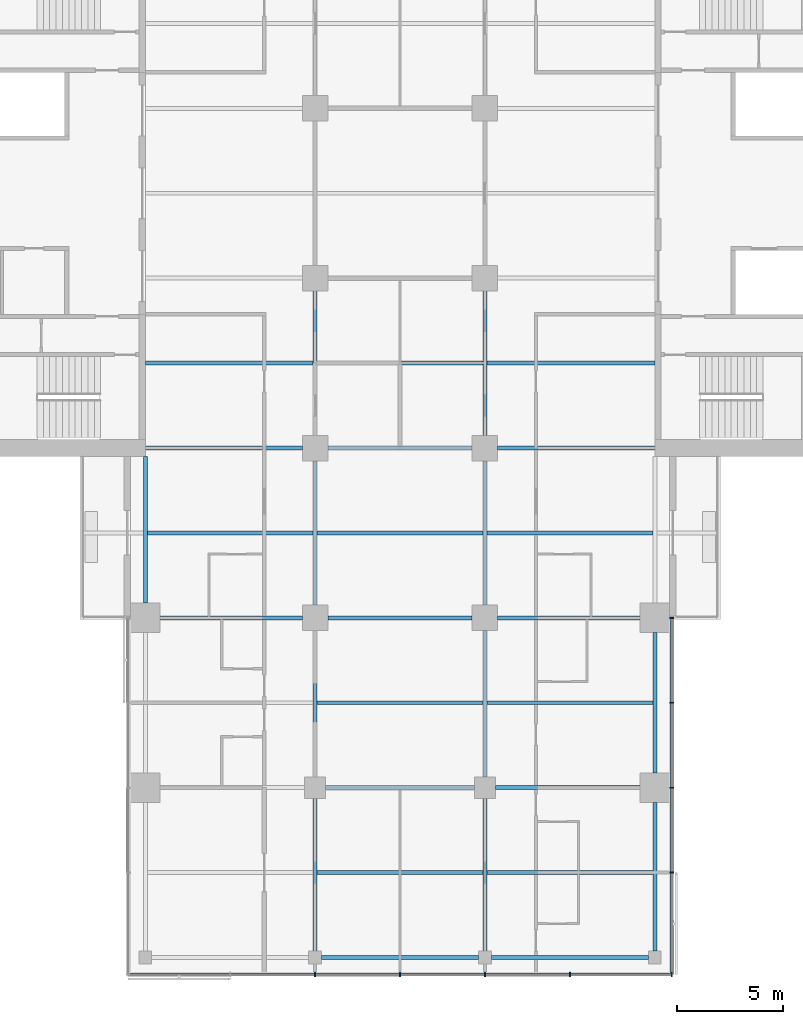
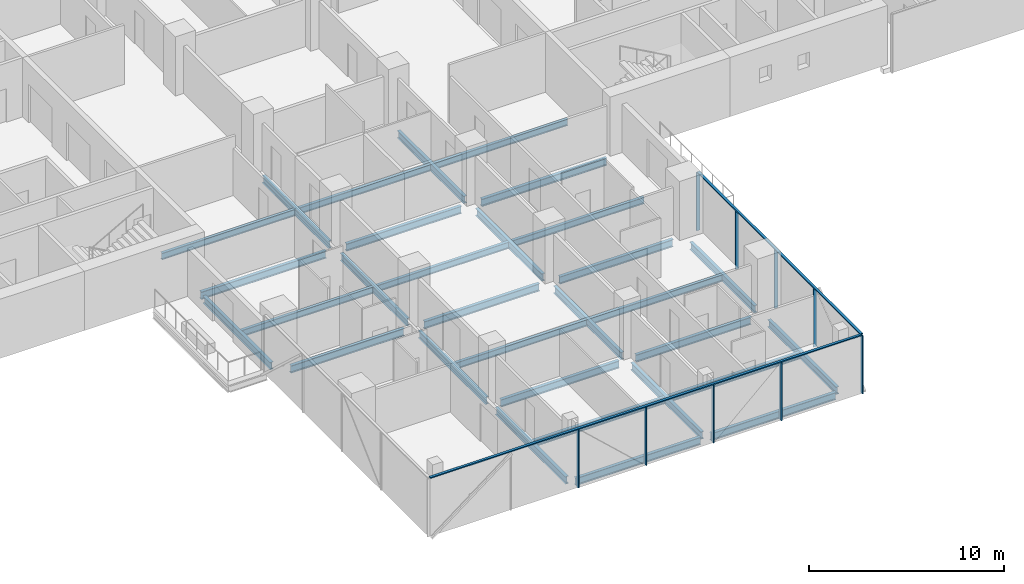
# One storey, part 4 of 27: 31 beams, 11 members, 2 elements without a shape of their own.
"""IFC4 building model written with IfcOpenShell, lengths in metres."""

from ifc_helpers import new_model, si_unit, direction, frame, origin, origin_2d, place, context, subcontext, project, spatial, rectangle, i_section, extrude, material, material_profile, profile_set, type_object, element, aggregate, save


model = new_model("IFC4")

# Units and contexts
model_context = context("Model", 3, precision=1e-05, world=origin(), true_north=direction((0.0, 1.0)))
body_context = subcontext(model_context, "Body", "Model", "MODEL_VIEW")
ifc_project = project(units=[si_unit("LENGTHUNIT", "METRE"), si_unit("AREAUNIT", "SQUARE_METRE"), si_unit("VOLUMEUNIT", "CUBIC_METRE"), si_unit("PLANEANGLEUNIT", "RADIAN"), si_unit("MASSUNIT", "GRAM", prefix="KILO")], contexts=[model_context])

# Site, building, storey
site_placement = place(None, origin())
site = spatial("IfcSite", under=ifc_project, at=site_placement, CompositionType="ELEMENT")
building_placement = place(site_placement, origin())
building = spatial("IfcBuilding", under=site, at=building_placement, Name="Crosswind Convention Tower", CompositionType="ELEMENT")
storey_placement = place(building_placement, frame((0.0, 0.0, 68.300048828125)))
storey = spatial("IfcBuildingStorey", under=building, at=storey_placement, Name="L11", CompositionType="ELEMENT", Elevation=68.300048828125)

# Beams
ifc_material_1 = material(Name="Steel S355", Category="steel")
ifc_material_profile_1 = material_profile(ifc_material_1, i_section(OverallWidth=0.1904296875, OverallDepth=0.457275390625, WebThickness=0.009033203125, FlangeThickness=0.014404296875, FilletRadius=0.01025390625, at=origin_2d()), Name="UB 457x191x75")
ifc_profile_set_1 = profile_set([ifc_material_profile_1], Name="Steel S355")
beam_type_1 = type_object("IfcBeamType", Name="Edge beam UB 457x191x75", PredefinedType="SPANDREL", material=ifc_profile_set_1)
beam_1_placement = place(storey_placement, frame((113.0, 80.699951171875, -0.508544921875), z_axis=(0.0, 1.0, 0.0), x_axis=(-1.0, 0.0, 0.0)))
element("IfcBeam", 1, at=beam_1_placement, inside=storey, type_object=beam_type_1, Name="B17 L11 edge beam 8", PredefinedType="SPANDREL", context=body_context, shape_type="SweptSolid", body=[
    extrude(i_section(OverallWidth=0.1904296875, OverallDepth=0.457275390625, WebThickness=0.009033203125, FlangeThickness=0.014404296875, FilletRadius=0.01025390625, at=origin_2d()), origin(), (0.0, 0.0, 1.0), 6.900146484375),
])
for number, where, z_axis, x_axis, name in (
    (2, (121.300048828125, 64.0, -0.508544921875), (1.0, 0.0, 0.0), (0.0, 1.0, 0.0), "B17 L11 edge beam 14"),
    (3, (129.300048828125, 64.0, -0.508544921875), (1.0, 0.0, 0.0), (0.0, 1.0, 0.0), "B17 L11 edge beam 16"),
):
    element("IfcBeam", number, at=place(storey_placement, frame(where, z_axis=z_axis, x_axis=x_axis)), inside=storey, type_object=beam_type_1, Name=name, PredefinedType="SPANDREL", context=body_context, shape_type="SweptSolid", body=[
        extrude(i_section(OverallWidth=0.1904296875, OverallDepth=0.457275390625, WebThickness=0.009033203125, FlangeThickness=0.014404296875, FilletRadius=0.01025390625, at=origin_2d()), origin(), (0.0, 0.0, 1.0), 7.39990234375),
    ])
beam_2_placement = place(storey_placement, frame((137.0, 64.300048828125, -0.508544921875), z_axis=(0.0, 1.0, 0.0), x_axis=(-1.0, 0.0, 0.0)))
element("IfcBeam", 4, at=beam_2_placement, inside=storey, type_object=beam_type_1, Name="B17 L11 edge beam 18", PredefinedType="SPANDREL", context=body_context, shape_type="SweptSolid", body=[
    extrude(i_section(OverallWidth=0.1904296875, OverallDepth=0.457275390625, WebThickness=0.009033203125, FlangeThickness=0.014404296875, FilletRadius=0.01025390625, at=origin_2d()), origin(), (0.0, 0.0, 1.0), 7.0),
])
beam_3_placement = place(storey_placement, frame((137.0, 72.699951171875, -0.508544921875), z_axis=(0.0, 1.0, 0.0), x_axis=(-1.0, 0.0, 0.0)))
element("IfcBeam", 5, at=beam_3_placement, inside=storey, type_object=beam_type_1, Name="B17 L11 edge beam 19", PredefinedType="SPANDREL", context=body_context, shape_type="SweptSolid", body=[
    extrude(i_section(OverallWidth=0.1904296875, OverallDepth=0.457275390625, WebThickness=0.009033203125, FlangeThickness=0.014404296875, FilletRadius=0.01025390625, at=origin_2d()), origin(), (0.0, 0.0, 1.0), 6.60009765625),
])
ifc_material_profile_2 = material_profile(ifc_material_1, i_section(OverallWidth=0.19140625, OverallDepth=0.460205078125, WebThickness=0.010009765625, FlangeThickness=0.01611328125, FilletRadius=0.01025390625, at=origin_2d()), Name="UB 457x191x82")
ifc_profile_set_2 = profile_set([ifc_material_profile_2], Name="Steel S355")
beam_type_2 = type_object("IfcBeamType", Name="Girder UB 457x191x82", PredefinedType="BEAM", material=ifc_profile_set_2)
beam_4_placement = place(storey_placement, frame((113.699951171875, 80.0, -0.51025390625), z_axis=(1.0, 0.0, 0.0), x_axis=(0.0, 1.0, 0.0)))
element("IfcBeam", 6, at=beam_4_placement, inside=storey, type_object=beam_type_2, Name="B3 L11 girder 2", PredefinedType="BEAM", context=body_context, shape_type="SweptSolid", body=[
    extrude(i_section(OverallWidth=0.19140625, OverallDepth=0.460205078125, WebThickness=0.010009765625, FlangeThickness=0.01611328125, FilletRadius=0.01025390625, at=origin_2d()), origin(), (0.0, 0.0, 1.0), 6.699951171875),
])
beam_5_placement = place(storey_placement, frame((121.0, 64.300048828125, -0.51025390625), z_axis=(0.0, 1.0, 0.0), x_axis=(-1.0, 0.0, 0.0)))
element("IfcBeam", 7, at=beam_5_placement, inside=storey, type_object=beam_type_2, Name="B3 L11 girder 5", PredefinedType="BEAM", context=body_context, shape_type="SweptSolid", body=[
    extrude(i_section(OverallWidth=0.19140625, OverallDepth=0.460205078125, WebThickness=0.010009765625, FlangeThickness=0.01611328125, FilletRadius=0.01025390625, at=origin_2d()), origin(), (0.0, 0.0, 1.0), 7.199951171875),
])
beam_6_placement = place(storey_placement, frame((121.0, 72.5, -0.51025390625), z_axis=(0.0, 1.0, 0.0), x_axis=(-1.0, 0.0, 0.0)))
element("IfcBeam", 8, at=beam_6_placement, inside=storey, type_object=beam_type_2, Name="B3 L11 girder 6", PredefinedType="BEAM", context=body_context, shape_type="SweptSolid", body=[
    extrude(i_section(OverallWidth=0.19140625, OverallDepth=0.460205078125, WebThickness=0.010009765625, FlangeThickness=0.01611328125, FilletRadius=0.01025390625, at=origin_2d()), origin(), (0.0, 0.0, 1.0), 6.89990234375),
])
for number, where, z_axis, x_axis, name in (
    (9, (121.0, 80.60009765625, -0.51025390625), (0.0, 1.0, 0.0), (-1.0, 0.0, 0.0), "B3 L11 girder 7"),
    (10, (121.0, 88.60009765625, -0.51025390625), (0.0, 1.0, 0.0), (-1.0, 0.0, 0.0), "B3 L11 girder 8"),
):
    element("IfcBeam", number, at=place(storey_placement, frame(where, z_axis=z_axis, x_axis=x_axis)), inside=storey, type_object=beam_type_2, Name=name, PredefinedType="BEAM", context=body_context, shape_type="SweptSolid", body=[
        extrude(i_section(OverallWidth=0.19140625, OverallDepth=0.460205078125, WebThickness=0.010009765625, FlangeThickness=0.01611328125, FilletRadius=0.01025390625, at=origin_2d()), origin(), (0.0, 0.0, 1.0), 6.7998046875),
    ])
beam_7_placement = place(storey_placement, frame((121.5, 72.0, -0.51025390625), z_axis=(1.0, 0.0, 0.0), x_axis=(0.0, 1.0, 0.0)))
element("IfcBeam", 11, at=beam_7_placement, inside=storey, type_object=beam_type_2, Name="B3 L11 girder 14", PredefinedType="BEAM", context=body_context, shape_type="SweptSolid", body=[
    extrude(i_section(OverallWidth=0.19140625, OverallDepth=0.460205078125, WebThickness=0.010009765625, FlangeThickness=0.01611328125, FilletRadius=0.01025390625, at=origin_2d()), origin(), (0.0, 0.0, 1.0), 7.0),
])
for number, where, z_axis, x_axis, name in (
    (12, (121.60009765625, 80.0, -0.51025390625), (1.0, 0.0, 0.0), (0.0, 1.0, 0.0), "B3 L11 girder 16"),
    (13, (121.60009765625, 88.0, -0.51025390625), (1.0, 0.0, 0.0), (0.0, 1.0, 0.0), "B3 L11 girder 17"),
):
    element("IfcBeam", number, at=place(storey_placement, frame(where, z_axis=z_axis, x_axis=x_axis)), inside=storey, type_object=beam_type_2, Name=name, PredefinedType="BEAM", context=body_context, shape_type="SweptSolid", body=[
        extrude(i_section(OverallWidth=0.19140625, OverallDepth=0.460205078125, WebThickness=0.010009765625, FlangeThickness=0.01611328125, FilletRadius=0.01025390625, at=origin_2d()), origin(), (0.0, 0.0, 1.0), 6.7998046875),
    ])
beam_8_placement = place(storey_placement, frame((129.0, 64.300048828125, -0.51025390625), z_axis=(0.0, 1.0, 0.0), x_axis=(-1.0, 0.0, 0.0)))
element("IfcBeam", 14, at=beam_8_placement, inside=storey, type_object=beam_type_2, Name="B3 L11 girder 22", PredefinedType="BEAM", context=body_context, shape_type="SweptSolid", body=[
    extrude(i_section(OverallWidth=0.19140625, OverallDepth=0.460205078125, WebThickness=0.010009765625, FlangeThickness=0.01611328125, FilletRadius=0.01025390625, at=origin_2d()), origin(), (0.0, 0.0, 1.0), 7.199951171875),
])
beam_9_placement = place(storey_placement, frame((129.0, 72.5, -0.51025390625), z_axis=(0.0, 1.0, 0.0), x_axis=(-1.0, 0.0, 0.0)))
element("IfcBeam", 15, at=beam_9_placement, inside=storey, type_object=beam_type_2, Name="B3 L11 girder 23", PredefinedType="BEAM", context=body_context, shape_type="SweptSolid", body=[
    extrude(i_section(OverallWidth=0.19140625, OverallDepth=0.460205078125, WebThickness=0.010009765625, FlangeThickness=0.01611328125, FilletRadius=0.01025390625, at=origin_2d()), origin(), (0.0, 0.0, 1.0), 6.89990234375),
])
for number, where, z_axis, x_axis, name in (
    (16, (129.0, 80.60009765625, -0.51025390625), (0.0, 1.0, 0.0), (-1.0, 0.0, 0.0), "B3 L11 girder 24"),
    (17, (129.0, 88.60009765625, -0.51025390625), (0.0, 1.0, 0.0), (-1.0, 0.0, 0.0), "B3 L11 girder 25"),
):
    element("IfcBeam", number, at=place(storey_placement, frame(where, z_axis=z_axis, x_axis=x_axis)), inside=storey, type_object=beam_type_2, Name=name, PredefinedType="BEAM", context=body_context, shape_type="SweptSolid", body=[
        extrude(i_section(OverallWidth=0.19140625, OverallDepth=0.460205078125, WebThickness=0.010009765625, FlangeThickness=0.01611328125, FilletRadius=0.01025390625, at=origin_2d()), origin(), (0.0, 0.0, 1.0), 6.7998046875),
    ])
beam_10_placement = place(storey_placement, frame((129.5, 72.0, -0.51025390625), z_axis=(1.0, 0.0, 0.0), x_axis=(0.0, 1.0, 0.0)))
element("IfcBeam", 18, at=beam_10_placement, inside=storey, type_object=beam_type_2, Name="B3 L11 girder 31", PredefinedType="BEAM", context=body_context, shape_type="SweptSolid", body=[
    extrude(i_section(OverallWidth=0.19140625, OverallDepth=0.460205078125, WebThickness=0.010009765625, FlangeThickness=0.01611328125, FilletRadius=0.01025390625, at=origin_2d()), origin(), (0.0, 0.0, 1.0), 6.800048828125),
])
beam_11_placement = place(storey_placement, frame((129.60009765625, 80.0, -0.51025390625), z_axis=(1.0, 0.0, 0.0), x_axis=(0.0, 1.0, 0.0)))
element("IfcBeam", 19, at=beam_11_placement, inside=storey, type_object=beam_type_2, Name="B3 L11 girder 33", PredefinedType="BEAM", context=body_context, shape_type="SweptSolid", body=[
    extrude(i_section(OverallWidth=0.19140625, OverallDepth=0.460205078125, WebThickness=0.010009765625, FlangeThickness=0.01611328125, FilletRadius=0.01025390625, at=origin_2d()), origin(), (0.0, 0.0, 1.0), 6.699951171875),
])
ifc_material_profile_3 = material_profile(ifc_material_1, i_section(OverallWidth=0.19189453125, OverallDepth=0.463623046875, WebThickness=0.010498046875, FlangeThickness=0.017578125, FilletRadius=0.01025390625, at=origin_2d()), Name="UB 457x191x90")
ifc_profile_set_3 = profile_set([ifc_material_profile_3], Name="Steel S355")
beam_type_3 = type_object("IfcBeamType", Name="Girder at core wall UB 457x191x90", PredefinedType="BEAM", material=ifc_profile_set_3)
for number, where, z_axis, x_axis, name in (
    (20, (113.0, 88.0, -0.511962890625), (1.0, 0.0, 0.0), (0.0, 1.0, 0.0), "B24 L11 girder at core wall 3"),
    (21, (129.60009765625, 88.0, -0.511962890625), (1.0, 0.0, 0.0), (0.0, 1.0, 0.0), "B24 L11 girder at core wall 7"),
):
    element("IfcBeam", number, at=place(storey_placement, frame(where, z_axis=z_axis, x_axis=x_axis)), inside=storey, type_object=beam_type_3, Name=name, PredefinedType="BEAM", context=body_context, shape_type="SweptSolid", body=[
        extrude(i_section(OverallWidth=0.19189453125, OverallDepth=0.463623046875, WebThickness=0.010498046875, FlangeThickness=0.017578125, FilletRadius=0.01025390625, at=origin_2d()), origin(), (0.0, 0.0, 1.0), 7.39990234375),
    ])

# Curtain wall, members
ifc_material_2 = material(Name="Aluminium unitised curtain wall", Category="aluminium")
curtain_wall_type = type_object("IfcCurtainWallType", Name="HOTEL UNITISED WALL 200", PredefinedType="USERDEFINED", material=ifc_material_2)
curtain_wall_1_placement = place(storey_placement, origin())
curtain_wall_1 = element("IfcCurtainWall", 22, at=curtain_wall_1_placement, inside=storey, type_object=curtain_wall_type, Name="CW2 L11 S-TIP 1", ObjectType="UNITISED", PredefinedType="USERDEFINED")
ifc_material_3 = material(Name="Aluminium mullion", Category="aluminium")
ifc_material_profile_4 = material_profile(ifc_material_3, rectangle(XDim=0.199951171875, YDim=0.06494140625, at=origin_2d()), Name="AL 200X65")
ifc_profile_set_4 = profile_set([ifc_material_profile_4], Name="Aluminium mullion")
member_type_1 = type_object("IfcMemberType", Name="MULLION 65X200", PredefinedType="MULLION", material=ifc_profile_set_4)
member_1_placement = place(storey_placement, frame((121.0, 63.199951171875, -0.280029296875), z_axis=(0.0, 0.0, 1.0), x_axis=(0.0, -1.0, 0.0)))
member_1 = element("IfcMember", 23, at=member_1_placement, type_object=member_type_1, Name="CW2 mullion 3", PredefinedType="MULLION", context=body_context, shape_type="SweptSolid", body=[
    extrude(rectangle(XDim=0.199951171875, YDim=0.06494140625, at=origin_2d()), origin(), (0.0, 0.0, 1.0), 3.635009765625),
])
member_2_placement = place(storey_placement, frame((125.0, 63.199951171875, -0.280029296875), z_axis=(0.0, 0.0, 1.0), x_axis=(0.0, -1.0, 0.0)))
member_2 = element("IfcMember", 24, at=member_2_placement, type_object=member_type_1, Name="CW2 mullion 4", PredefinedType="MULLION", context=body_context, shape_type="SweptSolid", body=[
    extrude(rectangle(XDim=0.199951171875, YDim=0.06494140625, at=origin_2d()), origin(), (0.0, 0.0, 1.0), 3.635009765625),
])
member_3_placement = place(storey_placement, frame((129.0, 63.199951171875, -0.280029296875), z_axis=(0.0, 0.0, 1.0), x_axis=(0.0, -1.0, 0.0)))
member_3 = element("IfcMember", 25, at=member_3_placement, type_object=member_type_1, Name="CW2 mullion 5", PredefinedType="MULLION", context=body_context, shape_type="SweptSolid", body=[
    extrude(rectangle(XDim=0.199951171875, YDim=0.06494140625, at=origin_2d()), origin(), (0.0, 0.0, 1.0), 3.635009765625),
])
member_4_placement = place(storey_placement, frame((133.0, 63.199951171875, -0.280029296875), z_axis=(0.0, 0.0, 1.0), x_axis=(0.0, -1.0, 0.0)))
member_4 = element("IfcMember", 26, at=member_4_placement, type_object=member_type_1, Name="CW2 mullion 6", PredefinedType="MULLION", context=body_context, shape_type="SweptSolid", body=[
    extrude(rectangle(XDim=0.199951171875, YDim=0.06494140625, at=origin_2d()), origin(), (0.0, 0.0, 1.0), 3.635009765625),
])
member_5_placement = place(storey_placement, frame((137.800048828125, 63.199951171875, -0.280029296875), z_axis=(0.0, 0.0, 1.0), x_axis=(0.0, -1.0, 0.0)))
member_5 = element("IfcMember", 27, at=member_5_placement, type_object=member_type_1, Name="CW2 mullion 7", PredefinedType="MULLION", context=body_context, shape_type="SweptSolid", body=[
    extrude(rectangle(XDim=0.199951171875, YDim=0.06494140625, at=origin_2d()), origin(), (0.0, 0.0, 1.0), 3.635009765625),
])

curtain_wall_2_placement = place(storey_placement, origin())
curtain_wall_2 = element("IfcCurtainWall", 28, at=curtain_wall_2_placement, inside=storey, type_object=curtain_wall_type, Name="CW2 L11 S-E 1", ObjectType="UNITISED", PredefinedType="USERDEFINED")
member_6_placement = place(storey_placement, frame((137.800048828125, 68.0, -0.280029296875), z_axis=(0.0, 0.0, 1.0), x_axis=(1.0, 0.0, 0.0)))
member_6 = element("IfcMember", 29, at=member_6_placement, type_object=member_type_1, Name="CW2 mullion 2", PredefinedType="MULLION", context=body_context, shape_type="SweptSolid", body=[
    extrude(rectangle(XDim=0.199951171875, YDim=0.06494140625, at=origin_2d()), origin(), (0.0, 0.0, 1.0), 3.635009765625),
])
member_7_placement = place(storey_placement, frame((137.800048828125, 72.0, -0.280029296875), z_axis=(0.0, 0.0, 1.0), x_axis=(1.0, 0.0, 0.0)))
member_7 = element("IfcMember", 30, at=member_7_placement, type_object=member_type_1, Name="CW2 mullion 3", PredefinedType="MULLION", context=body_context, shape_type="SweptSolid", body=[
    extrude(rectangle(XDim=0.199951171875, YDim=0.06494140625, at=origin_2d()), origin(), (0.0, 0.0, 1.0), 3.635009765625),
])
member_8_placement = place(storey_placement, frame((137.800048828125, 76.0, -0.280029296875), z_axis=(0.0, 0.0, 1.0), x_axis=(1.0, 0.0, 0.0)))
member_8 = element("IfcMember", 31, at=member_8_placement, type_object=member_type_1, Name="CW2 mullion 4", PredefinedType="MULLION", context=body_context, shape_type="SweptSolid", body=[
    extrude(rectangle(XDim=0.199951171875, YDim=0.06494140625, at=origin_2d()), origin(), (0.0, 0.0, 1.0), 3.635009765625),
])
member_9_placement = place(storey_placement, frame((137.800048828125, 80.0, -0.280029296875), z_axis=(0.0, 0.0, 1.0), x_axis=(1.0, 0.0, 0.0)))
member_9 = element("IfcMember", 32, at=member_9_placement, type_object=member_type_1, Name="CW2 mullion 5", PredefinedType="MULLION", context=body_context, shape_type="SweptSolid", body=[
    extrude(rectangle(XDim=0.199951171875, YDim=0.06494140625, at=origin_2d()), origin(), (0.0, 0.0, 1.0), 3.635009765625),
])

# Beams
ifc_material_profile_5 = material_profile(ifc_material_1, i_section(OverallWidth=0.177734375, OverallDepth=0.406494140625, WebThickness=0.0078125, FlangeThickness=0.0126953125, FilletRadius=0.01025390625, at=origin_2d()), Name="UB 406x178x60")
ifc_profile_set_5 = profile_set([ifc_material_profile_5], Name="Steel S355")
beam_type_4 = type_object("IfcBeamType", Name="Secondary beam UB 406x178x60", PredefinedType="JOIST", material=ifc_profile_set_5)
beam_12_placement = place(storey_placement, frame((113.0, 92.0, -0.483154296875), z_axis=(1.0, 0.0, 0.0), x_axis=(0.0, 1.0, 0.0)))
element("IfcBeam", 33, at=beam_12_placement, inside=storey, type_object=beam_type_4, Name="B10 L11 secondary beam 4", PredefinedType="JOIST", context=body_context, shape_type="SweptSolid", body=[
    extrude(i_section(OverallWidth=0.177734375, OverallDepth=0.406494140625, WebThickness=0.0078125, FlangeThickness=0.0126953125, FilletRadius=0.01025390625, at=origin_2d()), origin(), (0.0, 0.0, 1.0), 7.904296875),
])
beam_13_placement = place(storey_placement, frame((113.09521484375, 84.0, -0.483154296875), z_axis=(1.0, 0.0, 0.0), x_axis=(0.0, 1.0, 0.0)))
element("IfcBeam", 34, at=beam_13_placement, inside=storey, type_object=beam_type_4, Name="B10 L11 secondary beam 9", PredefinedType="JOIST", context=body_context, shape_type="SweptSolid", body=[
    extrude(i_section(OverallWidth=0.177734375, OverallDepth=0.406494140625, WebThickness=0.0078125, FlangeThickness=0.0126953125, FilletRadius=0.01025390625, at=origin_2d()), origin(), (0.0, 0.0, 1.0), 7.80908203125),
])
for number, where, z_axis, x_axis, name in (
    (35, (121.095703125, 68.0, -0.483154296875), (1.0, 0.0, 0.0), (0.0, 1.0, 0.0), "B10 L11 secondary beam 13"),
    (36, (121.095703125, 76.0, -0.483154296875), (1.0, 0.0, 0.0), (0.0, 1.0, 0.0), "B10 L11 secondary beam 14"),
    (37, (121.095703125, 84.0, -0.483154296875), (1.0, 0.0, 0.0), (0.0, 1.0, 0.0), "B10 L11 secondary beam 15"),
    (38, (121.095703125, 92.0, -0.483154296875), (1.0, 0.0, 0.0), (0.0, 1.0, 0.0), "B10 L11 secondary beam 16"),
):
    element("IfcBeam", number, at=place(storey_placement, frame(where, z_axis=z_axis, x_axis=x_axis)), inside=storey, type_object=beam_type_4, Name=name, PredefinedType="JOIST", context=body_context, shape_type="SweptSolid", body=[
        extrude(i_section(OverallWidth=0.177734375, OverallDepth=0.406494140625, WebThickness=0.0078125, FlangeThickness=0.0126953125, FilletRadius=0.01025390625, at=origin_2d()), origin(), (0.0, 0.0, 1.0), 7.80859375),
    ])
for number, where, z_axis, x_axis, name in (
    (39, (129.095703125, 68.0, -0.483154296875), (1.0, 0.0, 0.0), (0.0, 1.0, 0.0), "B10 L11 secondary beam 22"),
    (40, (129.095703125, 76.0, -0.483154296875), (1.0, 0.0, 0.0), (0.0, 1.0, 0.0), "B10 L11 secondary beam 23"),
    (41, (129.095703125, 84.0, -0.483154296875), (1.0, 0.0, 0.0), (0.0, 1.0, 0.0), "B10 L11 secondary beam 24"),
):
    element("IfcBeam", number, at=place(storey_placement, frame(where, z_axis=z_axis, x_axis=x_axis)), inside=storey, type_object=beam_type_4, Name=name, PredefinedType="JOIST", context=body_context, shape_type="SweptSolid", body=[
        extrude(i_section(OverallWidth=0.177734375, OverallDepth=0.406494140625, WebThickness=0.0078125, FlangeThickness=0.0126953125, FilletRadius=0.01025390625, at=origin_2d()), origin(), (0.0, 0.0, 1.0), 7.80908203125),
    ])
beam_14_placement = place(storey_placement, frame((129.095703125, 92.0, -0.483154296875), z_axis=(1.0, 0.0, 0.0), x_axis=(0.0, 1.0, 0.0)))
element("IfcBeam", 42, at=beam_14_placement, inside=storey, type_object=beam_type_4, Name="B10 L11 secondary beam 25", PredefinedType="JOIST", context=body_context, shape_type="SweptSolid", body=[
    extrude(i_section(OverallWidth=0.177734375, OverallDepth=0.406494140625, WebThickness=0.0078125, FlangeThickness=0.0126953125, FilletRadius=0.01025390625, at=origin_2d()), origin(), (0.0, 0.0, 1.0), 7.904296875),
])

# Member
ifc_material_4 = material(Name="Aluminium transom", Category="aluminium")
ifc_material_profile_6 = material_profile(ifc_material_4, rectangle(XDim=0.14990234375, YDim=0.06494140625, at=origin_2d()), Name="AL 150X65")
ifc_profile_set_6 = profile_set([ifc_material_profile_6], Name="Aluminium transom")
member_type_2 = type_object("IfcMemberType", Name="TRANSOM 65X150", PredefinedType="USERDEFINED", material=ifc_profile_set_6)
member_10_placement = place(storey_placement, frame((112.232421875, 63.199951171875, 3.387451171875), z_axis=(1.0, 0.0, 0.0), x_axis=(0.0, 1.0, 0.0)))
member_10 = element("IfcMember", 43, at=member_10_placement, type_object=member_type_2, Name="CW2 transom", ObjectType="TRANSOM", PredefinedType="USERDEFINED", context=body_context, shape_type="SweptSolid", body=[
    extrude(rectangle(XDim=0.14990234375, YDim=0.06494140625, at=origin_2d()), origin(), (0.0, 0.0, 1.0), 25.53515625),
])

aggregate(curtain_wall_1, [member_1, member_2, member_3, member_4, member_5, member_10])

member_11_placement = place(storey_placement, frame((137.800048828125, 63.232421875, 3.387451171875), z_axis=(0.0, 1.0, 0.0), x_axis=(-1.0, 0.0, 0.0)))
member_11 = element("IfcMember", 44, at=member_11_placement, type_object=member_type_2, Name="CW2 transom", ObjectType="TRANSOM", PredefinedType="USERDEFINED", context=body_context, shape_type="SweptSolid", body=[
    extrude(rectangle(XDim=0.14990234375, YDim=0.06494140625, at=origin_2d()), origin(), (0.0, 0.0, 1.0), 16.735107421875),
])

aggregate(curtain_wall_2, [member_6, member_7, member_8, member_9, member_11])

save(model, "model.ifc")
